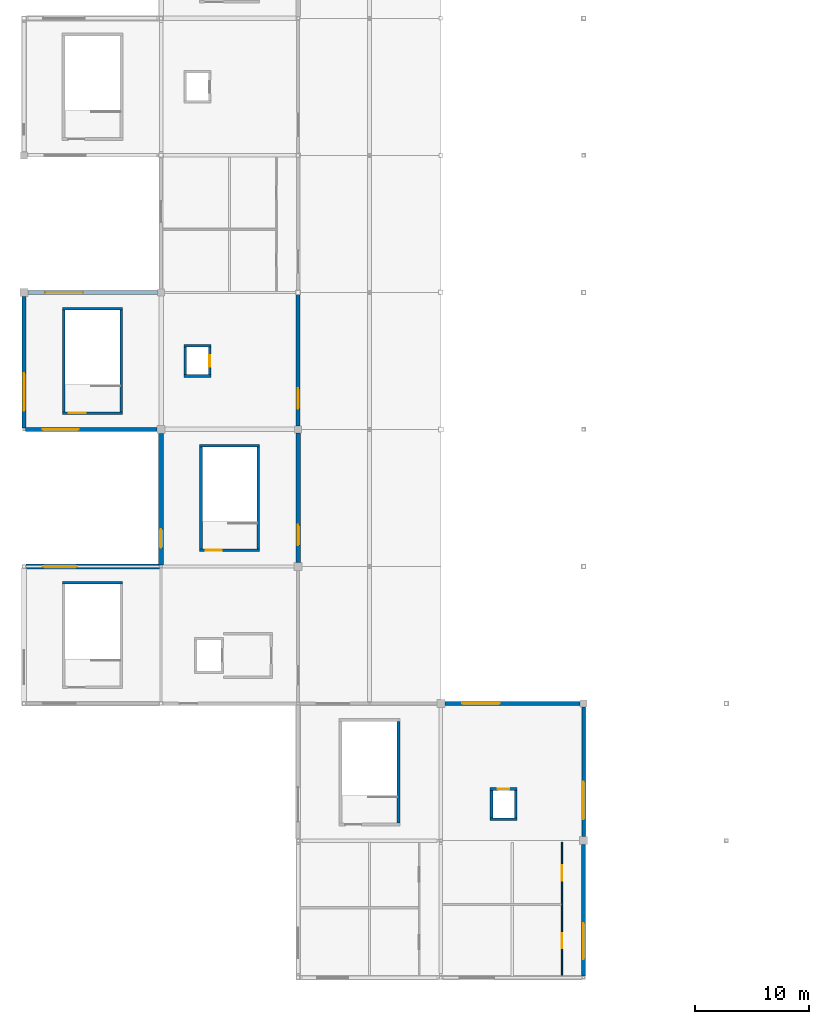
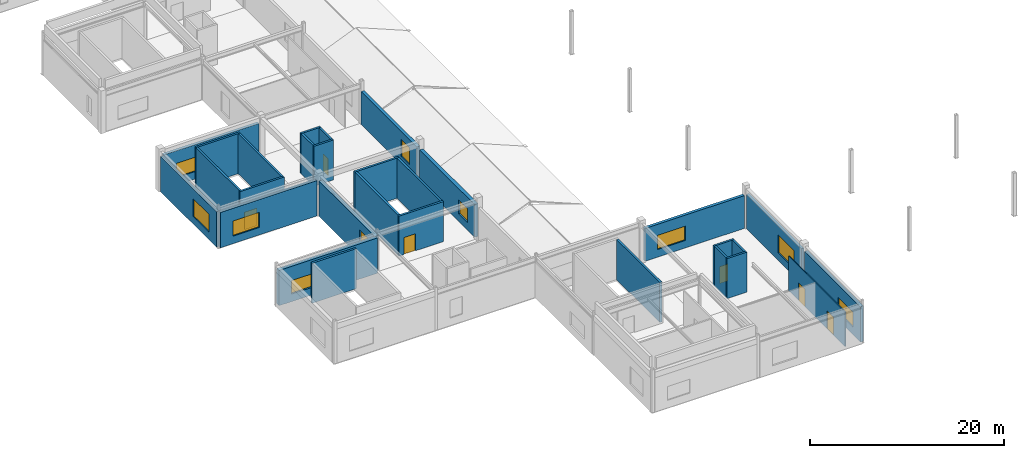
# One storey, part 63 of 76: 29 walls, 10 windows, 6 doors, 16 openings.
"""IFC4 building model written with IfcOpenShell, lengths in metres."""

from ifc_helpers import new_model, si_unit, direction, frame, frame_2d, origin, place, context, subcontext, project, spatial, rectangle, extrude, material, layer, layer_set, type_object, element, fill, save


model = new_model("IFC4")

# Units and contexts
model_context = context("Model", 3, precision=1e-05, world=origin(), true_north=direction((0.0, 1.0)))
body_context = subcontext(model_context, "Body", "Model", "MODEL_VIEW")
ifc_project = project(units=[si_unit("LENGTHUNIT", "METRE"), si_unit("AREAUNIT", "SQUARE_METRE"), si_unit("VOLUMEUNIT", "CUBIC_METRE"), si_unit("PLANEANGLEUNIT", "RADIAN"), si_unit("MASSUNIT", "GRAM", prefix="KILO")], contexts=[model_context])

# Site, building, storey
site_placement = place(None, origin())
site = spatial("IfcSite", under=ifc_project, at=site_placement, CompositionType="ELEMENT")
building_placement = place(site_placement, origin())
building = spatial("IfcBuilding", under=site, at=building_placement, Name="Kazenohara Klinker Stadium", CompositionType="ELEMENT")
storey_placement = place(building_placement, frame((0.0, 0.0, 25.800048828125)))
storey = spatial("IfcBuildingStorey", under=building, at=storey_placement, Name="L05", CompositionType="ELEMENT", Elevation=25.800048828125)

# Wall, opening, door
ifc_material_1 = material(Name="Concrete C40/50", Category="concrete")
ifc_layer_1 = layer(ifc_material_1, 0.22998046875)
ifc_layer_set_1 = layer_set([ifc_layer_1], Name="Concrete C40/50")
wall_type_1 = type_object("IfcWallType", Name="WAL-CORE-230", PredefinedType="SHEAR", material=ifc_layer_set_1)
wall_1_placement = place(storey_placement, frame((3.3701171875, 61.43505859375, 0.0), z_axis=(0.0, 0.0, 1.0), x_axis=(1.0, 0.0, 0.0)))
wall_1 = element("IfcWall", 1, at=wall_1_placement, inside=storey, type_object=wall_type_1, Name="Stairwell shear wall ST02 L05 South", PredefinedType="SHEAR", context=body_context, shape_type="SweptSolid", body=[
    extrude(rectangle(XDim=5.259765625, YDim=0.22998046875, at=frame_2d((2.6298828125, 0.0))), origin(), (0.0, 0.0, 1.0), 5.0400390625),
])
opening_1_placement = place(wall_1_placement, frame((0.550048828125, 0.0, 0.0)))
opening_1 = element("IfcOpeningElement", 2, at=opening_1_placement, cuts=wall_1, Name="Opening SD02", PredefinedType="OPENING", context=body_context, shape_type="SweptSolid", body=[
    extrude(rectangle(XDim=1.5, YDim=2.199951171875, at=frame_2d((0.75, 1.10009765625))), frame((0.0, 0.125, 0.0), z_axis=(0.0, -1.0, 0.0), x_axis=(1.0, 0.0, 0.0)), (0.0, 0.0, 1.0), 0.25),
])
ifc_material_2 = material(Name="Flush painted steel fire door leaf", Category="steel")
door_type_1 = type_object("IfcDoorType", Name="DR-STR-1500x2200", OperationType="NOTDEFINED", PredefinedType="DOOR", material=ifc_material_2)
door_1_placement = place(opening_1_placement, origin())
door_1 = element("IfcDoor", 3, at=door_1_placement, inside=storey, type_object=door_type_1, Name="Escape stairwell fire door ST02-L05", OperationType="SINGLE_SWING_RIGHT", OverallHeight=2.199951171875, OverallWidth=1.5, PredefinedType="DOOR", context=body_context, shape_type="SweptSolid", body=[
    extrude(rectangle(XDim=1.5, YDim=2.199951171875, at=frame_2d((0.75, 1.10009765625))), frame((0.0, 0.02490234375, 0.0), z_axis=(0.0, -1.0, 0.0), x_axis=(1.0, 0.0, 0.0)), (0.0, 0.0, 1.0), 0.050048828125),
])
fill(opening_1, door_1)

# Walls
wall_2_placement = place(storey_placement, frame((3.3701171875, 70.56494140625, 0.0), z_axis=(0.0, 0.0, 1.0), x_axis=(1.0, 0.0, 0.0)))
element("IfcWall", 4, at=wall_2_placement, inside=storey, type_object=wall_type_1, Name="Stairwell shear wall ST02 L05 North", PredefinedType="SHEAR", context=body_context, shape_type="SweptSolid", body=[
    extrude(rectangle(XDim=5.259765625, YDim=0.22998046875, at=frame_2d((2.6298828125, 0.0))), origin(), (0.0, 0.0, 1.0), 5.0400390625),
])
for number, where, z_axis, x_axis, name in (
    (5, (3.485107421875, 61.550048828125, 0.0), (0.0, 0.0, 1.0), (0.0, 1.0, 0.0), "Stairwell shear wall ST02 L05 West"),
    (6, (8.514892578125, 61.550048828125, 0.0), (0.0, 0.0, 1.0), (0.0, 1.0, 0.0), "Stairwell shear wall ST02 L05 East"),
):
    element("IfcWall", number, at=place(storey_placement, frame(where, z_axis=z_axis, x_axis=x_axis)), inside=storey, type_object=wall_type_1, Name=name, PredefinedType="SHEAR", context=body_context, shape_type="SweptSolid", body=[
        extrude(rectangle(XDim=8.89990234375, YDim=0.22998046875, at=frame_2d((4.449951171875, 0.0))), origin(), (0.0, 0.0, 1.0), 5.0400390625),
    ])
for number, where, z_axis, x_axis, name in (
    (7, (14.02001953125, 64.68505859375, 0.0), (0.0, 0.0, 1.0), (1.0, 0.0, 0.0), "Elevator shaft wall LP01 L05 South"),
    (8, (14.02001953125, 67.31494140625, 0.0), (0.0, 0.0, 1.0), (1.0, 0.0, 0.0), "Elevator shaft wall LP01 L05 North"),
):
    element("IfcWall", number, at=place(storey_placement, frame(where, z_axis=z_axis, x_axis=x_axis)), inside=storey, type_object=wall_type_1, Name=name, PredefinedType="SHEAR", context=body_context, shape_type="SweptSolid", body=[
        extrude(rectangle(XDim=2.35986328125, YDim=0.22998046875, at=frame_2d((1.179931640625, 0.0))), origin(), (0.0, 0.0, 1.0), 5.0400390625),
    ])
wall_3_placement = place(storey_placement, frame((14.135009765625, 64.800048828125, 0.0), z_axis=(0.0, 0.0, 1.0), x_axis=(0.0, 1.0, 0.0)))
element("IfcWall", 9, at=wall_3_placement, inside=storey, type_object=wall_type_1, Name="Elevator shaft wall LP01 L05 West", PredefinedType="SHEAR", context=body_context, shape_type="SweptSolid", body=[
    extrude(rectangle(XDim=2.39990234375, YDim=0.22998046875, at=frame_2d((1.199951171875, 0.0))), origin(), (0.0, 0.0, 1.0), 5.0400390625),
])

# Wall, opening, door
wall_4_placement = place(storey_placement, frame((16.264892578125, 64.800048828125, 0.0), z_axis=(0.0, 0.0, 1.0), x_axis=(0.0, 1.0, 0.0)))
wall_4 = element("IfcWall", 10, at=wall_4_placement, inside=storey, type_object=wall_type_1, Name="Elevator shaft wall LP01 L05 East", PredefinedType="SHEAR", context=body_context, shape_type="SweptSolid", body=[
    extrude(rectangle(XDim=2.39990234375, YDim=0.22998046875, at=frame_2d((1.199951171875, 0.0))), origin(), (0.0, 0.0, 1.0), 5.0400390625),
])
opening_2_placement = place(wall_4_placement, frame((0.699951171875, 0.0, 0.0)))
opening_2 = element("IfcOpeningElement", 11, at=opening_2_placement, cuts=wall_4, Name="Opening LD02", PredefinedType="OPENING", context=body_context, shape_type="SweptSolid", body=[
    extrude(rectangle(XDim=1.0, YDim=2.14990234375, at=frame_2d((0.5, 1.074951171875))), frame((0.0, 0.125, 0.0), z_axis=(0.0, -1.0, 0.0), x_axis=(1.0, 0.0, 0.0)), (0.0, 0.0, 1.0), 0.25),
])
ifc_material_3 = material(Name="Stainless steel sliding landing door", Category="steel")
door_type_2 = type_object("IfcDoorType", Name="DR-LD02-1000x2150", OperationType="NOTDEFINED", PredefinedType="DOOR", material=ifc_material_3)
door_2_placement = place(opening_2_placement, origin())
door_2 = element("IfcDoor", 12, at=door_2_placement, inside=storey, type_object=door_type_2, Name="Elevator sliding landing door LP01-L05", OperationType="DOUBLE_DOOR_SLIDING", OverallHeight=2.14990234375, OverallWidth=1.0, PredefinedType="DOOR", context=body_context, shape_type="SweptSolid", body=[
    extrude(rectangle(XDim=1.0, YDim=2.14990234375, at=frame_2d((0.5, 1.074951171875))), frame((0.0, 0.02490234375, 0.0), z_axis=(0.0, -1.0, 0.0), x_axis=(1.0, 0.0, 0.0)), (0.0, 0.0, 1.0), 0.050048828125),
])
fill(opening_2, door_2)

# Wall
wall_5_placement = place(storey_placement, frame((40.820068359375, 25.885009765625, 0.0), z_axis=(0.0, 0.0, 1.0), x_axis=(1.0, 0.0, 0.0)))
element("IfcWall", 13, at=wall_5_placement, inside=storey, type_object=wall_type_1, Name="Elevator shaft wall LP03 L05 South", PredefinedType="SHEAR", context=body_context, shape_type="SweptSolid", body=[
    extrude(rectangle(XDim=2.35986328125, YDim=0.22998046875, at=frame_2d((1.179931640625, 0.0))), origin(), (0.0, 0.0, 1.0), 5.0400390625),
])

# Wall, opening, door
wall_6_placement = place(storey_placement, frame((40.820068359375, 28.514892578125, 0.0), z_axis=(0.0, 0.0, 1.0), x_axis=(1.0, 0.0, 0.0)))
wall_6 = element("IfcWall", 14, at=wall_6_placement, inside=storey, type_object=wall_type_1, Name="Elevator shaft wall LP03 L05 North", PredefinedType="SHEAR", context=body_context, shape_type="SweptSolid", body=[
    extrude(rectangle(XDim=2.35986328125, YDim=0.22998046875, at=frame_2d((1.179931640625, 0.0))), origin(), (0.0, 0.0, 1.0), 5.0400390625),
])
opening_3_placement = place(wall_6_placement, frame((0.679931640625, 0.0, 0.0)))
opening_3 = element("IfcOpeningElement", 15, at=opening_3_placement, cuts=wall_6, Name="Opening LD02", PredefinedType="OPENING", context=body_context, shape_type="SweptSolid", body=[
    extrude(rectangle(XDim=1.0, YDim=2.14990234375, at=frame_2d((0.5, 1.074951171875))), frame((0.0, 0.125, 0.0), z_axis=(0.0, -1.0, 0.0), x_axis=(1.0, 0.0, 0.0)), (0.0, 0.0, 1.0), 0.25),
])
door_3_placement = place(opening_3_placement, origin())
door_3 = element("IfcDoor", 16, at=door_3_placement, inside=storey, type_object=door_type_2, Name="Elevator sliding landing door LP03-L05", OperationType="DOUBLE_DOOR_SLIDING", OverallHeight=2.14990234375, OverallWidth=1.0, PredefinedType="DOOR", context=body_context, shape_type="SweptSolid", body=[
    extrude(rectangle(XDim=1.0, YDim=2.14990234375, at=frame_2d((0.5, 1.074951171875))), frame((0.0, 0.02490234375, 0.0), z_axis=(0.0, -1.0, 0.0), x_axis=(1.0, 0.0, 0.0)), (0.0, 0.0, 1.0), 0.050048828125),
])
fill(opening_3, door_3)

# Walls
for number, where, z_axis, x_axis, name in (
    (17, (40.93505859375, 26.0, 0.0), (0.0, 0.0, 1.0), (0.0, 1.0, 0.0), "Elevator shaft wall LP03 L05 West"),
    (18, (43.06494140625, 26.0, 0.0), (0.0, 0.0, 1.0), (0.0, 1.0, 0.0), "Elevator shaft wall LP03 L05 East"),
):
    element("IfcWall", number, at=place(storey_placement, frame(where, z_axis=z_axis, x_axis=x_axis)), inside=storey, type_object=wall_type_1, Name=name, PredefinedType="SHEAR", context=body_context, shape_type="SweptSolid", body=[
        extrude(rectangle(XDim=2.39990234375, YDim=0.22998046875, at=frame_2d((1.199951171875, 0.0))), origin(), (0.0, 0.0, 1.0), 5.0400390625),
    ])
ifc_layer_2 = layer(ifc_material_1, 0.25)
ifc_layer_set_2 = layer_set([ifc_layer_2], Name="Concrete C40/50")
wall_type_2 = type_object("IfcWallType", Name="WAL-CORE-250", PredefinedType="SHEAR", material=ifc_layer_set_2)
wall_7_placement = place(storey_placement, frame((3.360107421875, 46.574951171875, 0.0), z_axis=(0.0, 0.0, 1.0), x_axis=(1.0, 0.0, 0.0)))
element("IfcWall", 19, at=wall_7_placement, inside=storey, type_object=wall_type_2, Name="Stairwell shear wall ST01 L05 North", PredefinedType="SHEAR", context=body_context, shape_type="SweptSolid", body=[
    extrude(rectangle(XDim=5.27978515625, YDim=0.25, at=frame_2d((2.639892578125, 0.0))), origin(), (0.0, 0.0, 1.0), 5.0400390625),
])
wall_8_placement = place(storey_placement, frame((32.794921875, 25.550048828125, 0.0), z_axis=(0.0, 0.0, 1.0), x_axis=(0.0, 1.0, 0.0)))
element("IfcWall", 20, at=wall_8_placement, inside=storey, type_object=wall_type_2, Name="Stairwell shear wall ST07 L05 East", PredefinedType="SHEAR", context=body_context, shape_type="SweptSolid", body=[
    extrude(rectangle(XDim=8.89990234375, YDim=0.25, at=frame_2d((4.449951171875, 0.0))), origin(), (0.0, 0.0, 1.0), 5.0400390625),
])

# Wall, opening, door
wall_9_placement = place(storey_placement, frame((15.360107421875, 49.425048828125, 0.0), z_axis=(0.0, 0.0, 1.0), x_axis=(1.0, 0.0, 0.0)))
wall_9 = element("IfcWall", 21, at=wall_9_placement, inside=storey, type_object=wall_type_2, Name="Stairwell shear wall ST13 L05 South", PredefinedType="SHEAR", context=body_context, shape_type="SweptSolid", body=[
    extrude(rectangle(XDim=5.27978515625, YDim=0.25, at=frame_2d((2.639892578125, 0.0))), origin(), (0.0, 0.0, 1.0), 5.0400390625),
])
opening_4_placement = place(wall_9_placement, frame((0.550048828125, 0.0, 0.0)))
opening_4 = element("IfcOpeningElement", 22, at=opening_4_placement, cuts=wall_9, Name="Opening SD01", PredefinedType="OPENING", context=body_context, shape_type="SweptSolid", body=[
    extrude(rectangle(XDim=1.39990234375, YDim=2.14990234375, at=frame_2d((0.699951171875, 1.074951171875))), frame((0.0, 0.135009765625, 0.0), z_axis=(0.0, -1.0, 0.0), x_axis=(1.0, 0.0, 0.0)), (0.0, 0.0, 1.0), 0.27001953125),
])
door_type_3 = type_object("IfcDoorType", Name="DR-STR-1400x2150", OperationType="NOTDEFINED", PredefinedType="DOOR", material=ifc_material_2)
door_4_placement = place(opening_4_placement, origin())
door_4 = element("IfcDoor", 23, at=door_4_placement, inside=storey, type_object=door_type_3, Name="Escape stairwell fire door ST13-L05", OperationType="SINGLE_SWING_RIGHT", OverallHeight=2.14990234375, OverallWidth=1.39990234375, PredefinedType="DOOR", context=body_context, shape_type="SweptSolid", body=[
    extrude(rectangle(XDim=1.39990234375, YDim=2.14990234375, at=frame_2d((0.699951171875, 1.074951171875))), frame((0.0, 0.02490234375, 0.0), z_axis=(0.0, -1.0, 0.0), x_axis=(1.0, 0.0, 0.0)), (0.0, 0.0, 1.0), 0.050048828125),
])
fill(opening_4, door_4)

# Walls
wall_10_placement = place(storey_placement, frame((15.360107421875, 58.574951171875, 0.0), z_axis=(0.0, 0.0, 1.0), x_axis=(1.0, 0.0, 0.0)))
element("IfcWall", 24, at=wall_10_placement, inside=storey, type_object=wall_type_2, Name="Stairwell shear wall ST13 L05 North", PredefinedType="SHEAR", context=body_context, shape_type="SweptSolid", body=[
    extrude(rectangle(XDim=5.27978515625, YDim=0.25, at=frame_2d((2.639892578125, 0.0))), origin(), (0.0, 0.0, 1.0), 5.0400390625),
])
for number, where, z_axis, x_axis, name in (
    (25, (15.485107421875, 49.550048828125, 0.0), (0.0, 0.0, 1.0), (0.0, 1.0, 0.0), "Stairwell shear wall ST13 L05 West"),
    (26, (20.514892578125, 49.550048828125, 0.0), (0.0, 0.0, 1.0), (0.0, 1.0, 0.0), "Stairwell shear wall ST13 L05 East"),
):
    element("IfcWall", number, at=place(storey_placement, frame(where, z_axis=z_axis, x_axis=x_axis)), inside=storey, type_object=wall_type_2, Name=name, PredefinedType="SHEAR", context=body_context, shape_type="SweptSolid", body=[
        extrude(rectangle(XDim=8.89990234375, YDim=0.25, at=frame_2d((4.449951171875, 0.0))), origin(), (0.0, 0.0, 1.0), 5.0400390625),
    ])

# Wall, opening, window
ifc_material_4 = material(Name="Clinker brick masonry", Category="masonry")
ifc_layer_3 = layer(ifc_material_4, 0.31005859375)
ifc_layer_set_3 = layer_set([ifc_layer_3], Name="Clinker brick masonry")
wall_type_3 = type_object("IfcWallType", Name="WAL-EXT-CB310", PredefinedType="SOLIDWALL", material=ifc_layer_set_3)
wall_11_placement = place(storey_placement, frame((0.0, 60.12890625, 0.0), z_axis=(0.0, 0.0, 1.0), x_axis=(0.0, 1.0, 0.0)))
wall_11 = element("IfcWall", 27, at=wall_11_placement, inside=storey, type_object=wall_type_3, Name="Clinker brick cavity wall EW05 L05 Y0-5", PredefinedType="SOLIDWALL", context=body_context, shape_type="SweptSolid", body=[
    extrude(rectangle(XDim=11.51708984375, YDim=0.31005859375, at=frame_2d((5.758544921875, 0.0))), origin(), (0.0, 0.0, 1.0), 4.451904296875),
])
opening_5_placement = place(wall_11_placement, frame((1.5, 0.0, 0.949951171875)))
opening_5 = element("IfcOpeningElement", 28, at=opening_5_placement, cuts=wall_11, Name="Opening W34", PredefinedType="OPENING", context=body_context, shape_type="SweptSolid", body=[
    extrude(rectangle(XDim=3.300048828125, YDim=2.25, at=frame_2d((1.64990234375, 1.125))), frame((0.0, 0.1650390625, 0.0), z_axis=(0.0, -1.0, 0.0), x_axis=(1.0, 0.0, 0.0)), (0.0, 0.0, 1.0), 0.330078125),
])
ifc_material_5 = material(Name="Dark bronze aluminium frame and triple glazing", Category="aluminium")
window_type_1 = type_object("IfcWindowType", Name="WIN-AS-34", PartitioningType="SINGLE_PANEL", PredefinedType="WINDOW", material=ifc_material_5)
window_1_placement = place(opening_5_placement, origin())
window_1 = element("IfcWindow", 29, at=window_1_placement, inside=storey, type_object=window_type_1, Name="Horizontal-mullion ladder window W34 L05 Y0-5", OverallHeight=2.25, OverallWidth=3.300048828125, PartitioningType="SINGLE_PANEL", PredefinedType="WINDOW", context=body_context, shape_type="SweptSolid", body=[
    extrude(rectangle(XDim=3.300048828125, YDim=2.25, at=frame_2d((1.64990234375, 1.125))), frame((0.0, 0.030029296875, 0.0), z_axis=(0.0, -1.0, 0.0), x_axis=(1.0, 0.0, 0.0)), (0.0, 0.0, 1.0), 0.06005859375),
])
fill(opening_5, window_1)

wall_12_placement = place(storey_placement, frame((49.0, 24.35400390625, 0.0), z_axis=(0.0, 0.0, 1.0), x_axis=(0.0, 1.0, 0.0)))
wall_12 = element("IfcWall", 30, at=wall_12_placement, inside=storey, type_object=wall_type_3, Name="Clinker brick cavity wall EW05 L05 Y4-2", PredefinedType="SOLIDWALL", context=body_context, shape_type="SweptSolid", body=[
    extrude(rectangle(XDim=11.342041015625, YDim=0.31005859375, at=frame_2d((5.6708984375, 0.0))), origin(), (0.0, 0.0, 1.0), 4.33984375),
])
opening_6_placement = place(wall_12_placement, frame((1.5, 0.0, 0.949951171875)))
opening_6 = element("IfcOpeningElement", 31, at=opening_6_placement, cuts=wall_12, Name="Opening W34", PredefinedType="OPENING", context=body_context, shape_type="SweptSolid", body=[
    extrude(rectangle(XDim=3.300048828125, YDim=2.25, at=frame_2d((1.64990234375, 1.125))), frame((0.0, 0.1650390625, 0.0), z_axis=(0.0, -1.0, 0.0), x_axis=(1.0, 0.0, 0.0)), (0.0, 0.0, 1.0), 0.330078125),
])
window_2_placement = place(opening_6_placement, origin())
window_2 = element("IfcWindow", 32, at=window_2_placement, inside=storey, type_object=window_type_1, Name="Horizontal-mullion ladder window W34 L05 Y4-2", OverallHeight=2.25, OverallWidth=3.300048828125, PartitioningType="SINGLE_PANEL", PredefinedType="WINDOW", context=body_context, shape_type="SweptSolid", body=[
    extrude(rectangle(XDim=3.300048828125, YDim=2.25, at=frame_2d((1.64990234375, 1.125))), frame((0.0, 0.030029296875, 0.0), z_axis=(0.0, -1.0, 0.0), x_axis=(1.0, 0.0, 0.0)), (0.0, 0.0, 1.0), 0.06005859375),
])
fill(opening_6, window_2)

ifc_layer_4 = layer(ifc_material_4, 0.340087890625)
ifc_layer_set_4 = layer_set([ifc_layer_4], Name="Clinker brick masonry")
wall_type_4 = type_object("IfcWallType", Name="WAL-EXT-CB340", PredefinedType="SOLIDWALL", material=ifc_layer_set_4)
wall_13_placement = place(storey_placement, frame((0.35400390625, 72.0, 0.0), z_axis=(0.0, 0.0, 1.0), x_axis=(1.0, 0.0, 0.0)))
wall_13 = element("IfcWall", 33, at=wall_13_placement, inside=storey, type_object=wall_type_4, Name="Clinker brick cavity wall EW04 L05 X0-6", PredefinedType="SOLIDWALL", context=body_context, shape_type="SweptSolid", body=[
    extrude(rectangle(XDim=11.342041015625, YDim=0.340087890625, at=frame_2d((5.6708984375, 0.0))), origin(), (0.0, 0.0, 1.0), 4.33984375),
])
opening_7_placement = place(wall_13_placement, frame((1.5, 0.0, 0.949951171875)))
opening_7 = element("IfcOpeningElement", 34, at=opening_7_placement, cuts=wall_13, Name="Opening W33", PredefinedType="OPENING", context=body_context, shape_type="SweptSolid", body=[
    extrude(rectangle(XDim=3.300048828125, YDim=1.800048828125, at=frame_2d((1.64990234375, 0.89990234375))), frame((0.0, 0.18017578125, 0.0), z_axis=(0.0, -1.0, 0.0), x_axis=(1.0, 0.0, 0.0)), (0.0, 0.0, 1.0), 0.360107421875),
])
window_type_2 = type_object("IfcWindowType", Name="WIN-AS-33", PartitioningType="SINGLE_PANEL", PredefinedType="WINDOW", material=ifc_material_5)
window_3_placement = place(opening_7_placement, origin())
window_3 = element("IfcWindow", 35, at=window_3_placement, inside=storey, type_object=window_type_2, Name="Horizontal-mullion ladder window W33 L05 X0-6", OverallHeight=1.800048828125, OverallWidth=3.300048828125, PartitioningType="SINGLE_PANEL", PredefinedType="WINDOW", context=body_context, shape_type="SweptSolid", body=[
    extrude(rectangle(XDim=3.300048828125, YDim=1.800048828125, at=frame_2d((1.64990234375, 0.89990234375))), frame((0.0, 0.030029296875, 0.0), z_axis=(0.0, -1.0, 0.0), x_axis=(1.0, 0.0, 0.0)), (0.0, 0.0, 1.0), 0.06005859375),
])
fill(opening_7, window_3)

wall_14_placement = place(storey_placement, frame((36.85400390625, 36.0, 0.0), z_axis=(0.0, 0.0, 1.0), x_axis=(1.0, 0.0, 0.0)))
wall_14 = element("IfcWall", 36, at=wall_14_placement, inside=storey, type_object=wall_type_4, Name="Clinker brick cavity wall EW04 L05 X3-3", PredefinedType="SOLIDWALL", context=body_context, shape_type="SweptSolid", body=[
    extrude(rectangle(XDim=11.842041015625, YDim=0.340087890625, at=frame_2d((5.9208984375, 0.0))), origin(), (0.0, 0.0, 1.0), 4.1298828125),
])
opening_8_placement = place(wall_14_placement, frame((1.5, 0.0, 0.949951171875)))
opening_8 = element("IfcOpeningElement", 37, at=opening_8_placement, cuts=wall_14, Name="Opening W33", PredefinedType="OPENING", context=body_context, shape_type="SweptSolid", body=[
    extrude(rectangle(XDim=3.300048828125, YDim=1.800048828125, at=frame_2d((1.64990234375, 0.89990234375))), frame((0.0, 0.18017578125, 0.0), z_axis=(0.0, -1.0, 0.0), x_axis=(1.0, 0.0, 0.0)), (0.0, 0.0, 1.0), 0.360107421875),
])
window_4_placement = place(opening_8_placement, origin())
window_4 = element("IfcWindow", 38, at=window_4_placement, inside=storey, type_object=window_type_2, Name="Horizontal-mullion ladder window W33 L05 X3-3", OverallHeight=1.800048828125, OverallWidth=3.300048828125, PartitioningType="SINGLE_PANEL", PredefinedType="WINDOW", context=body_context, shape_type="SweptSolid", body=[
    extrude(rectangle(XDim=3.300048828125, YDim=1.800048828125, at=frame_2d((1.64990234375, 0.89990234375))), frame((0.0, 0.030029296875, 0.0), z_axis=(0.0, -1.0, 0.0), x_axis=(1.0, 0.0, 0.0)), (0.0, 0.0, 1.0), 0.06005859375),
])
fill(opening_8, window_4)

ifc_layer_5 = layer(ifc_material_4, 0.3701171875)
ifc_layer_set_5 = layer_set([ifc_layer_5], Name="Clinker brick masonry")
wall_type_5 = type_object("IfcWallType", Name="WAL-EXT-CB370", PredefinedType="SOLIDWALL", material=ifc_layer_set_5)
wall_15_placement = place(storey_placement, frame((0.12890625, 60.0, 0.0), z_axis=(0.0, 0.0, 1.0), x_axis=(1.0, 0.0, 0.0)))
wall_15 = element("IfcWall", 39, at=wall_15_placement, inside=storey, type_object=wall_type_5, Name="Clinker brick cavity wall EW03 L05 X0-5", PredefinedType="SOLIDWALL", context=body_context, shape_type="SweptSolid", body=[
    extrude(rectangle(XDim=11.51708984375, YDim=0.3701171875, at=frame_2d((5.758544921875, 0.0))), origin(), (0.0, 0.0, 1.0), 4.451904296875),
])
opening_9_placement = place(wall_15_placement, frame((1.5, 0.0, 0.949951171875)))
opening_9 = element("IfcOpeningElement", 40, at=opening_9_placement, cuts=wall_15, Name="Opening W32", PredefinedType="OPENING", context=body_context, shape_type="SweptSolid", body=[
    extrude(rectangle(XDim=3.14990234375, YDim=1.89990234375, at=frame_2d((1.574951171875, 0.949951171875))), frame((0.0, 0.195068359375, 0.0), z_axis=(0.0, -1.0, 0.0), x_axis=(1.0, 0.0, 0.0)), (0.0, 0.0, 1.0), 0.39013671875),
])
window_type_3 = type_object("IfcWindowType", Name="WIN-AS-32", PartitioningType="SINGLE_PANEL", PredefinedType="WINDOW", material=ifc_material_5)
window_5_placement = place(opening_9_placement, origin())
window_5 = element("IfcWindow", 41, at=window_5_placement, inside=storey, type_object=window_type_3, Name="Horizontal-mullion ladder window W32 L05 X0-5", OverallHeight=1.89990234375, OverallWidth=3.14990234375, PartitioningType="SINGLE_PANEL", PredefinedType="WINDOW", context=body_context, shape_type="SweptSolid", body=[
    extrude(rectangle(XDim=3.14990234375, YDim=1.89990234375, at=frame_2d((1.574951171875, 0.949951171875))), frame((0.0, 0.030029296875, 0.0), z_axis=(0.0, -1.0, 0.0), x_axis=(1.0, 0.0, 0.0)), (0.0, 0.0, 1.0), 0.06005859375),
])
fill(opening_9, window_5)

wall_16_placement = place(storey_placement, frame((24.0, 60.303955078125, 0.0), z_axis=(0.0, 0.0, 1.0), x_axis=(0.0, 1.0, 0.0)))
wall_16 = element("IfcWall", 42, at=wall_16_placement, inside=storey, type_object=wall_type_5, Name="Clinker brick cavity wall EW03 L05 Y2-5", PredefinedType="SOLIDWALL", context=body_context, shape_type="SweptSolid", body=[
    extrude(rectangle(XDim=11.491943359375, YDim=0.3701171875, at=frame_2d((5.74609375, 0.0))), origin(), (0.0, 0.0, 1.0), 4.1298828125),
])
opening_10_placement = place(wall_16_placement, frame((1.5, 0.0, 0.949951171875)))
opening_10 = element("IfcOpeningElement", 43, at=opening_10_placement, cuts=wall_16, Name="Opening W14", PredefinedType="OPENING", context=body_context, shape_type="SweptSolid", body=[
    extrude(rectangle(XDim=1.800048828125, YDim=2.14990234375, at=frame_2d((0.89990234375, 1.074951171875))), frame((0.0, 0.195068359375, 0.0), z_axis=(0.0, -1.0, 0.0), x_axis=(1.0, 0.0, 0.0)), (0.0, 0.0, 1.0), 0.39013671875),
])
window_type_4 = type_object("IfcWindowType", Name="WIN-AS-14", PartitioningType="SINGLE_PANEL", PredefinedType="WINDOW", material=ifc_material_5)
window_6_placement = place(opening_10_placement, origin())
window_6 = element("IfcWindow", 44, at=window_6_placement, inside=storey, type_object=window_type_4, Name="Horizontal-mullion ladder window W14 L05 Y2-5", OverallHeight=2.14990234375, OverallWidth=1.800048828125, PartitioningType="SINGLE_PANEL", PredefinedType="WINDOW", context=body_context, shape_type="SweptSolid", body=[
    extrude(rectangle(XDim=1.800048828125, YDim=2.14990234375, at=frame_2d((0.89990234375, 1.074951171875))), frame((0.0, 0.030029296875, 0.0), z_axis=(0.0, -1.0, 0.0), x_axis=(1.0, 0.0, 0.0)), (0.0, 0.0, 1.0), 0.06005859375),
])
fill(opening_10, window_6)

wall_17_placement = place(storey_placement, frame((49.0, 12.12890625, 0.0), z_axis=(0.0, 0.0, 1.0), x_axis=(0.0, 1.0, 0.0)))
wall_17 = element("IfcWall", 45, at=wall_17_placement, inside=storey, type_object=wall_type_5, Name="Clinker brick cavity wall EW03 L05 Y4-1", PredefinedType="SOLIDWALL", context=body_context, shape_type="SweptSolid", body=[
    extrude(rectangle(XDim=11.51708984375, YDim=0.3701171875, at=frame_2d((5.758544921875, 0.0))), origin(), (0.0, 0.0, 1.0), 4.451904296875),
])
opening_11_placement = place(wall_17_placement, frame((1.5, 0.0, 0.949951171875)))
opening_11 = element("IfcOpeningElement", 46, at=opening_11_placement, cuts=wall_17, Name="Opening W32", PredefinedType="OPENING", context=body_context, shape_type="SweptSolid", body=[
    extrude(rectangle(XDim=3.14990234375, YDim=1.89990234375, at=frame_2d((1.574951171875, 0.949951171875))), frame((0.0, 0.195068359375, 0.0), z_axis=(0.0, -1.0, 0.0), x_axis=(1.0, 0.0, 0.0)), (0.0, 0.0, 1.0), 0.39013671875),
])
window_7_placement = place(opening_11_placement, origin())
window_7 = element("IfcWindow", 47, at=window_7_placement, inside=storey, type_object=window_type_3, Name="Horizontal-mullion ladder window W32 L05 Y4-1", OverallHeight=1.89990234375, OverallWidth=3.14990234375, PartitioningType="SINGLE_PANEL", PredefinedType="WINDOW", context=body_context, shape_type="SweptSolid", body=[
    extrude(rectangle(XDim=3.14990234375, YDim=1.89990234375, at=frame_2d((1.574951171875, 0.949951171875))), frame((0.0, 0.030029296875, 0.0), z_axis=(0.0, -1.0, 0.0), x_axis=(1.0, 0.0, 0.0)), (0.0, 0.0, 1.0), 0.06005859375),
])
fill(opening_11, window_7)

ifc_layer_6 = layer(ifc_material_4, 0.409912109375)
ifc_layer_set_6 = layer_set([ifc_layer_6], Name="Clinker brick masonry")
wall_type_6 = type_object("IfcWallType", Name="WAL-EXT-CB410", PredefinedType="SOLIDWALL", material=ifc_layer_set_6)
wall_18_placement = place(storey_placement, frame((24.0, 48.35400390625, 0.0), z_axis=(0.0, 0.0, 1.0), x_axis=(0.0, 1.0, 0.0)))
wall_18 = element("IfcWall", 48, at=wall_18_placement, inside=storey, type_object=wall_type_6, Name="Clinker brick cavity wall EW02 L05 Y2-4", PredefinedType="SOLIDWALL", context=body_context, shape_type="SweptSolid", body=[
    extrude(rectangle(XDim=11.342041015625, YDim=0.409912109375, at=frame_2d((5.6708984375, 0.0))), origin(), (0.0, 0.0, 1.0), 4.1298828125),
])
opening_12_placement = place(wall_18_placement, frame((1.5, 0.0, 0.949951171875)))
opening_12 = element("IfcOpeningElement", 49, at=opening_12_placement, cuts=wall_18, Name="Opening W13", PredefinedType="OPENING", context=body_context, shape_type="SweptSolid", body=[
    extrude(rectangle(XDim=1.800048828125, YDim=1.75, at=frame_2d((0.89990234375, 0.875))), frame((0.0, 0.21484375, 0.0), z_axis=(0.0, -1.0, 0.0), x_axis=(1.0, 0.0, 0.0)), (0.0, 0.0, 1.0), 0.429931640625),
])
window_type_5 = type_object("IfcWindowType", Name="WIN-AS-13", PartitioningType="SINGLE_PANEL", PredefinedType="WINDOW", material=ifc_material_5)
window_8_placement = place(opening_12_placement, origin())
window_8 = element("IfcWindow", 50, at=window_8_placement, inside=storey, type_object=window_type_5, Name="Horizontal-mullion ladder window W13 L05 Y2-4", OverallHeight=1.75, OverallWidth=1.800048828125, PartitioningType="SINGLE_PANEL", PredefinedType="WINDOW", context=body_context, shape_type="SweptSolid", body=[
    extrude(rectangle(XDim=1.800048828125, YDim=1.75, at=frame_2d((0.89990234375, 0.875))), frame((0.0, 0.030029296875, 0.0), z_axis=(0.0, -1.0, 0.0), x_axis=(1.0, 0.0, 0.0)), (0.0, 0.0, 1.0), 0.06005859375),
])
fill(opening_12, window_8)

ifc_layer_7 = layer(ifc_material_4, 0.449951171875)
ifc_layer_set_7 = layer_set([ifc_layer_7], Name="Clinker brick masonry")
wall_type_7 = type_object("IfcWallType", Name="WAL-EXT-CB450", PredefinedType="SOLIDWALL", material=ifc_layer_set_7)
wall_19_placement = place(storey_placement, frame((0.154052734375, 48.0, 0.0), z_axis=(0.0, 0.0, 1.0), x_axis=(1.0, 0.0, 0.0)))
wall_19 = element("IfcWall", 51, at=wall_19_placement, inside=storey, type_object=wall_type_7, Name="Clinker brick cavity wall EW01 L05 X0-4", PredefinedType="SOLIDWALL", context=body_context, shape_type="SweptSolid", body=[
    extrude(rectangle(XDim=11.717041015625, YDim=0.449951171875, at=frame_2d((5.8583984375, 0.0))), origin(), (0.0, 0.0, 1.0), 4.43994140625),
])
opening_13_placement = place(wall_19_placement, frame((1.5, 0.0, 0.949951171875)))
opening_13 = element("IfcOpeningElement", 52, at=opening_13_placement, cuts=wall_19, Name="Opening W30", PredefinedType="OPENING", context=body_context, shape_type="SweptSolid", body=[
    extrude(rectangle(XDim=3.0, YDim=1.699951171875, at=frame_2d((1.5, 0.85009765625))), frame((0.0, 0.23486328125, 0.0), z_axis=(0.0, -1.0, 0.0), x_axis=(1.0, 0.0, 0.0)), (0.0, 0.0, 1.0), 0.469970703125),
])
window_type_6 = type_object("IfcWindowType", Name="WIN-AS-30", PartitioningType="SINGLE_PANEL", PredefinedType="WINDOW", material=ifc_material_5)
window_9_placement = place(opening_13_placement, origin())
window_9 = element("IfcWindow", 53, at=window_9_placement, inside=storey, type_object=window_type_6, Name="Horizontal-mullion ladder window W30 L05 X0-4", OverallHeight=1.699951171875, OverallWidth=3.0, PartitioningType="SINGLE_PANEL", PredefinedType="WINDOW", context=body_context, shape_type="SweptSolid", body=[
    extrude(rectangle(XDim=3.0, YDim=1.699951171875, at=frame_2d((1.5, 0.85009765625))), frame((0.0, 0.030029296875, 0.0), z_axis=(0.0, -1.0, 0.0), x_axis=(1.0, 0.0, 0.0)), (0.0, 0.0, 1.0), 0.06005859375),
])
fill(opening_13, window_9)

wall_20_placement = place(storey_placement, frame((12.0, 48.12890625, 0.0), z_axis=(0.0, 0.0, 1.0), x_axis=(0.0, 1.0, 0.0)))
wall_20 = element("IfcWall", 54, at=wall_20_placement, inside=storey, type_object=wall_type_7, Name="Clinker brick cavity wall EW01 L05 Y1-4", PredefinedType="SOLIDWALL", context=body_context, shape_type="SweptSolid", body=[
    extrude(rectangle(XDim=11.51708984375, YDim=0.449951171875, at=frame_2d((5.758544921875, 0.0))), origin(), (0.0, 0.0, 1.0), 4.451904296875),
])
opening_14_placement = place(wall_20_placement, frame((1.5, 0.0, 0.949951171875)))
opening_14 = element("IfcOpeningElement", 55, at=opening_14_placement, cuts=wall_20, Name="Opening W12", PredefinedType="OPENING", context=body_context, shape_type="SweptSolid", body=[
    extrude(rectangle(XDim=1.64990234375, YDim=2.449951171875, at=frame_2d((0.824951171875, 1.22509765625))), frame((0.0, 0.23486328125, 0.0), z_axis=(0.0, -1.0, 0.0), x_axis=(1.0, 0.0, 0.0)), (0.0, 0.0, 1.0), 0.469970703125),
])
window_type_7 = type_object("IfcWindowType", Name="WIN-AS-12", PartitioningType="SINGLE_PANEL", PredefinedType="WINDOW", material=ifc_material_5)
window_10_placement = place(opening_14_placement, origin())
window_10 = element("IfcWindow", 56, at=window_10_placement, inside=storey, type_object=window_type_7, Name="Horizontal-mullion ladder window W12 L05 Y1-4", OverallHeight=2.449951171875, OverallWidth=1.64990234375, PartitioningType="SINGLE_PANEL", PredefinedType="WINDOW", context=body_context, shape_type="SweptSolid", body=[
    extrude(rectangle(XDim=1.64990234375, YDim=2.449951171875, at=frame_2d((0.824951171875, 1.22509765625))), frame((0.0, 0.030029296875, 0.0), z_axis=(0.0, -1.0, 0.0), x_axis=(1.0, 0.0, 0.0)), (0.0, 0.0, 1.0), 0.06005859375),
])
fill(opening_14, window_10)

# Wall, openings, doors
ifc_material_6 = material(Name="Fire-rated gypsum board on acoustic studs", Category="gypsum")
ifc_layer_8 = layer(ifc_material_6, 0.1201171875)
ifc_layer_set_8 = layer_set([ifc_layer_8], Name="Fire-rated gypsum board on acoustic studs")
wall_type_8 = type_object("IfcWallType", Name="WAL-INT-P120", PredefinedType="PARTITIONING", material=ifc_layer_set_8)
wall_21_placement = place(storey_placement, frame((47.110107421875, 12.20703125, 0.0), z_axis=(0.0, 0.0, 1.0), x_axis=(0.0, 1.0, 0.0)))
wall_21 = element("IfcWall", 57, at=wall_21_placement, inside=storey, type_object=wall_type_8, Name="Interior partition wall PT02 SPC-L05-03-01-1-1", PredefinedType="PARTITIONING", context=body_context, shape_type="SweptSolid", body=[
    extrude(rectangle(XDim=11.633056640625, YDim=0.1201171875, at=frame_2d((5.81640625, 0.0))), origin(), (0.0, 0.0, 1.0), 4.349853515625),
])
opening_15_placement = place(wall_21_placement, frame((2.387451171875, 0.0, 0.0)))
opening_15 = element("IfcOpeningElement", 58, at=opening_15_placement, cuts=wall_21, Name="Opening ID15", PredefinedType="OPENING", context=body_context, shape_type="SweptSolid", body=[
    extrude(rectangle(XDim=1.300048828125, YDim=2.239990234375, at=frame_2d((0.64990234375, 1.1201171875))), frame((0.0, 0.070068359375, 0.0), z_axis=(0.0, -1.0, 0.0), x_axis=(1.0, 0.0, 0.0)), (0.0, 0.0, 1.0), 0.14013671875),
])
opening_16_placement = place(wall_21_placement, frame((8.29248046875, 0.0, 0.0)))
opening_16 = element("IfcOpeningElement", 59, at=opening_16_placement, cuts=wall_21, Name="Opening ID16", PredefinedType="OPENING", context=body_context, shape_type="SweptSolid", body=[
    extrude(rectangle(XDim=1.330078125, YDim=2.219970703125, at=frame_2d((0.6650390625, 1.10986328125))), frame((0.0, 0.070068359375, 0.0), z_axis=(0.0, -1.0, 0.0), x_axis=(1.0, 0.0, 0.0)), (0.0, 0.0, 1.0), 0.14013671875),
])
ifc_material_7 = material(Name="Solid-core Hokkaido oak fire door", Category="wood")
door_type_4 = type_object("IfcDoorType", Name="DR-INT-15", OperationType="NOTDEFINED", PredefinedType="DOOR", material=ifc_material_7)
door_5_placement = place(opening_15_placement, origin())
door_5 = element("IfcDoor", 60, at=door_5_placement, inside=storey, type_object=door_type_4, Name="Interior door ID15 Television Broadcast Production Studio L05-0301A", OperationType="SINGLE_SWING_RIGHT", OverallHeight=2.239990234375, OverallWidth=1.300048828125, PredefinedType="DOOR", context=body_context, shape_type="SweptSolid", body=[
    extrude(rectangle(XDim=1.300048828125, YDim=2.239990234375, at=frame_2d((0.64990234375, 1.1201171875))), frame((0.0, 0.02490234375, 0.0), z_axis=(0.0, -1.0, 0.0), x_axis=(1.0, 0.0, 0.0)), (0.0, 0.0, 1.0), 0.050048828125),
])
fill(opening_15, door_5)
door_type_5 = type_object("IfcDoorType", Name="DR-INT-16", OperationType="NOTDEFINED", PredefinedType="DOOR", material=ifc_material_7)
door_6_placement = place(opening_16_placement, origin())
door_6 = element("IfcDoor", 61, at=door_6_placement, inside=storey, type_object=door_type_5, Name="Interior door ID16 Written Press Tribune Media Workroom L05-0301B", OperationType="SINGLE_SWING_LEFT", OverallHeight=2.219970703125, OverallWidth=1.330078125, PredefinedType="DOOR", context=body_context, shape_type="SweptSolid", body=[
    extrude(rectangle(XDim=1.330078125, YDim=2.219970703125, at=frame_2d((0.6650390625, 1.10986328125))), frame((0.0, 0.02490234375, 0.0), z_axis=(0.0, -1.0, 0.0), x_axis=(1.0, 0.0, 0.0)), (0.0, 0.0, 1.0), 0.050048828125),
])
fill(opening_16, door_6)

save(model, "model.ifc")
